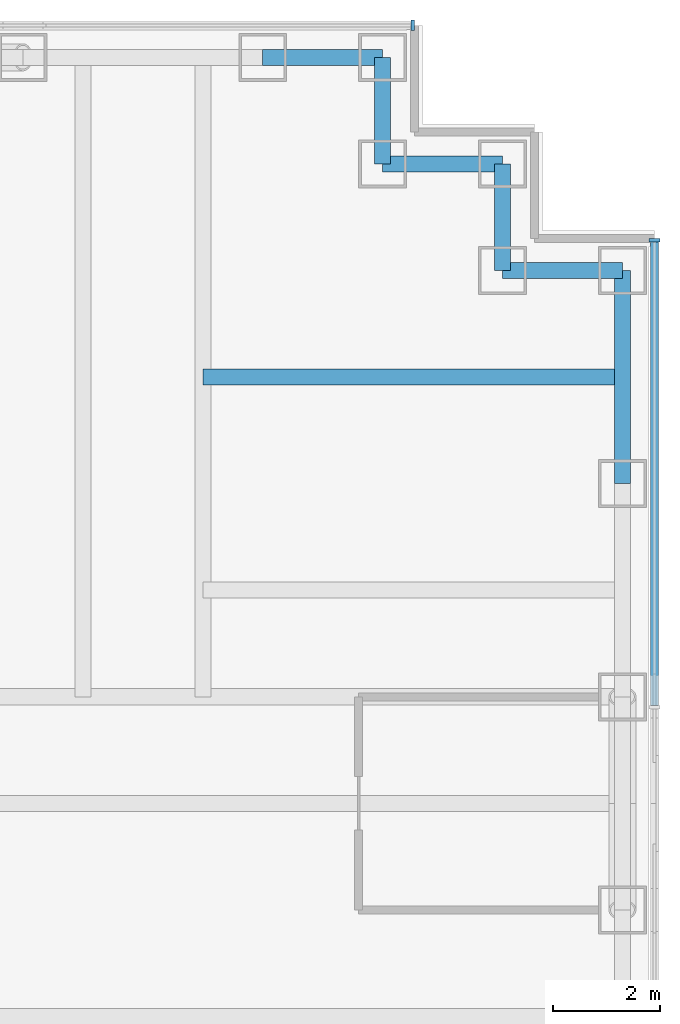
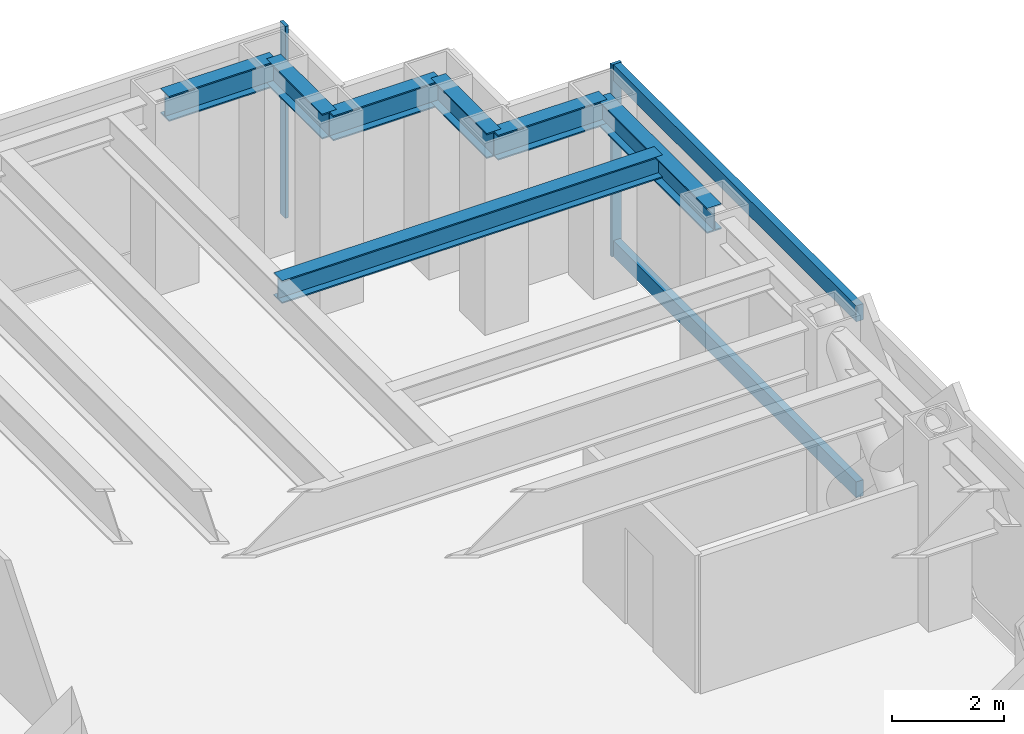
# One storey, part 9 of 17: 7 beams, 4 members, 2 elements without a shape of their own.
"""IFC4 building model written with IfcOpenShell, lengths in metres."""

from ifc_helpers import new_model, si_unit, direction, frame, origin, origin_2d, place, context, subcontext, project, spatial, rectangle, i_section, extrude, material, material_profile, profile_set, type_object, element, aggregate, save


model = new_model("IFC4")

# Units and contexts
model_context = context("Model", 3, precision=1e-05, world=origin(), true_north=direction((0.0, 1.0)))
body_context = subcontext(model_context, "Body", "Model", "MODEL_VIEW")
ifc_project = project(units=[si_unit("LENGTHUNIT", "METRE"), si_unit("AREAUNIT", "SQUARE_METRE"), si_unit("VOLUMEUNIT", "CUBIC_METRE"), si_unit("PLANEANGLEUNIT", "RADIAN"), si_unit("MASSUNIT", "GRAM", prefix="KILO")], contexts=[model_context])

# Site, building, storey
site_placement = place(None, origin())
site = spatial("IfcSite", under=ifc_project, at=site_placement, CompositionType="ELEMENT")
building_placement = place(site_placement, origin())
building = spatial("IfcBuilding", under=site, at=building_placement, Name="Rheinbord Bourse Tower", CompositionType="ELEMENT")
storey_placement = place(building_placement, frame((0.0, 0.0, 321.5)))
storey = spatial("IfcBuildingStorey", under=building, at=storey_placement, Name="L73", CompositionType="ELEMENT", Elevation=321.5)

# Curtain wall, member
ifc_material_1 = material(Name="Dark glass and black aluminium", Category="aluminium")
curtain_wall_type = type_object("IfcCurtainWallType", Name="CW3 DARK GLASS CURTAIN WALL", PredefinedType="USERDEFINED", material=ifc_material_1)
curtain_wall_1_placement = place(storey_placement, origin())
curtain_wall_1 = element("IfcCurtainWall", 1, at=curtain_wall_1_placement, inside=storey, type_object=curtain_wall_type, Name="Curtain wall CW3 E L73", ObjectType="UNITISED CURTAIN WALL", PredefinedType="USERDEFINED")
ifc_material_2 = material(Name="Black anodised aluminium", Category="aluminium")
ifc_material_profile_1 = material_profile(ifc_material_2, rectangle(XDim=0.199951171875, YDim=0.06494140625, at=origin_2d()), Name="CW3 MULLION 65x200")
ifc_profile_set_1 = profile_set([ifc_material_profile_1], Name="Black anodised aluminium")
member_type_1 = type_object("IfcMemberType", Name="CW3 BLACK MULLION", PredefinedType="MULLION", material=ifc_profile_set_1)
member_1_placement = place(storey_placement, frame((70.35009765625, 40.5673828125, 0.0), z_axis=(0.0, 0.0, 1.0), x_axis=(-1.0, 0.0, 0.0)))
member_1 = element("IfcMember", 2, at=member_1_placement, type_object=member_type_1, Name="CW3 mullion 5", PredefinedType="MULLION", context=body_context, shape_type="SweptSolid", body=[
    extrude(rectangle(XDim=0.199951171875, YDim=0.06494140625, at=origin_2d()), origin(), (0.0, 0.0, 1.0), 4.199951171875),
])

curtain_wall_2_placement = place(storey_placement, origin())
curtain_wall_2 = element("IfcCurtainWall", 3, at=curtain_wall_2_placement, inside=storey, type_object=curtain_wall_type, Name="Curtain wall CW3 N L73", ObjectType="UNITISED CURTAIN WALL", PredefinedType="USERDEFINED")
member_2_placement = place(storey_placement, frame((65.8173828125, 44.60009765625, 0.0), z_axis=(0.0, 0.0, 1.0), x_axis=(0.0, -1.0, 0.0)))
member_2 = element("IfcMember", 4, at=member_2_placement, type_object=member_type_1, Name="CW3 mullion 1", PredefinedType="MULLION", context=body_context, shape_type="SweptSolid", body=[
    extrude(rectangle(XDim=0.199951171875, YDim=0.06494140625, at=origin_2d()), origin(), (0.0, 0.0, 1.0), 4.199951171875),
])
aggregate(curtain_wall_2, [member_2])

# Member
ifc_material_3 = material(Name="Black anodised aluminium", Category="aluminium")
ifc_material_profile_2 = material_profile(ifc_material_3, rectangle(XDim=0.14990234375, YDim=0.35009765625, at=origin_2d()), Name="CW3 TRANSOM 350x150")
ifc_profile_set_2 = profile_set([ifc_material_profile_2], Name="Black anodised aluminium")
member_type_2 = type_object("IfcMemberType", Name="CW3 BLACK TRANSOM", PredefinedType="USERDEFINED", material=ifc_profile_set_2)
member_3_placement = place(storey_placement, frame((70.35009765625, 31.83251953125, 0.175048828125), z_axis=(0.0, 1.0, 0.0), x_axis=(-1.0, 0.0, 0.0)))
member_3 = element("IfcMember", 5, at=member_3_placement, type_object=member_type_2, Name="CW3 transom 4.1", ObjectType="TRANSOM", PredefinedType="USERDEFINED", context=body_context, shape_type="SweptSolid", body=[
    extrude(rectangle(XDim=0.14990234375, YDim=0.35009765625, at=origin_2d()), origin(), (0.0, 0.0, 1.0), 8.702392578125),
])

member_4_placement = place(storey_placement, frame((70.35009765625, 31.83251953125, 4.02490234375), z_axis=(0.0, 1.0, 0.0), x_axis=(-1.0, 0.0, 0.0)))
member_4 = element("IfcMember", 6, at=member_4_placement, type_object=member_type_2, Name="CW3 transom 4.2", ObjectType="TRANSOM", PredefinedType="USERDEFINED", context=body_context, shape_type="SweptSolid", body=[
    extrude(rectangle(XDim=0.14990234375, YDim=0.35009765625, at=origin_2d()), origin(), (0.0, 0.0, 1.0), 8.702392578125),
])

aggregate(curtain_wall_1, [member_1, member_3, member_4])

# Beams
ifc_material_4 = material(Name="Steel S460", Category="steel")
ifc_material_profile_3 = material_profile(ifc_material_4, i_section(OverallWidth=0.300048828125, OverallDepth=0.550048828125, WebThickness=0.014892578125, FlangeThickness=0.029052734375, at=origin_2d()), Name="HEB 550")
ifc_profile_set_3 = profile_set([ifc_material_profile_3], Name="Steel S460")
beam_type_1 = type_object("IfcBeamType", Name="SPANDREL HEB 550", PredefinedType="SPANDREL", material=ifc_profile_set_3)
beam_1_placement = place(storey_placement, frame((69.75, 36.0, 3.764892578125), z_axis=(0.0, 1.0, 0.0), x_axis=(-1.0, 0.0, 0.0)))
element("IfcBeam", 7, at=beam_1_placement, inside=storey, type_object=beam_type_1, Name="Spandrel E-36-NE-A under L74", PredefinedType="SPANDREL", context=body_context, shape_type="SweptSolid", body=[
    extrude(i_section(OverallWidth=0.300048828125, OverallDepth=0.550048828125, WebThickness=0.014892578125, FlangeThickness=0.029052734375, at=origin_2d()), origin(), (0.0, 0.0, 1.0), 4.0),
])
beam_2_placement = place(storey_placement, frame((69.75, 40.0, 3.764892578125), z_axis=(-1.0, 0.0, 0.0), x_axis=(0.0, -1.0, 0.0)))
element("IfcBeam", 8, at=beam_2_placement, inside=storey, type_object=beam_type_1, Name="Spandrel NE-A-NE-B under L74", PredefinedType="SPANDREL", context=body_context, shape_type="SweptSolid", body=[
    extrude(i_section(OverallWidth=0.300048828125, OverallDepth=0.550048828125, WebThickness=0.014892578125, FlangeThickness=0.029052734375, at=origin_2d()), origin(), (0.0, 0.0, 1.0), 2.25),
])
beam_3_placement = place(storey_placement, frame((67.5, 40.0, 3.764892578125), z_axis=(0.0, 1.0, 0.0), x_axis=(-1.0, 0.0, 0.0)))
element("IfcBeam", 9, at=beam_3_placement, inside=storey, type_object=beam_type_1, Name="Spandrel NE-B-NE-C under L74", PredefinedType="SPANDREL", context=body_context, shape_type="SweptSolid", body=[
    extrude(i_section(OverallWidth=0.300048828125, OverallDepth=0.550048828125, WebThickness=0.014892578125, FlangeThickness=0.029052734375, at=origin_2d()), origin(), (0.0, 0.0, 1.0), 2.0),
])
beam_4_placement = place(storey_placement, frame((67.5, 42.0, 3.764892578125), z_axis=(-1.0, 0.0, 0.0), x_axis=(0.0, -1.0, 0.0)))
element("IfcBeam", 10, at=beam_4_placement, inside=storey, type_object=beam_type_1, Name="Spandrel NE-C-NE-D under L74", PredefinedType="SPANDREL", context=body_context, shape_type="SweptSolid", body=[
    extrude(i_section(OverallWidth=0.300048828125, OverallDepth=0.550048828125, WebThickness=0.014892578125, FlangeThickness=0.029052734375, at=origin_2d()), origin(), (0.0, 0.0, 1.0), 2.25),
])
beam_5_placement = place(storey_placement, frame((65.25, 42.0, 3.764892578125), z_axis=(0.0, 1.0, 0.0), x_axis=(-1.0, 0.0, 0.0)))
element("IfcBeam", 11, at=beam_5_placement, inside=storey, type_object=beam_type_1, Name="Spandrel NE-D-NE-E under L74", PredefinedType="SPANDREL", context=body_context, shape_type="SweptSolid", body=[
    extrude(i_section(OverallWidth=0.300048828125, OverallDepth=0.550048828125, WebThickness=0.014892578125, FlangeThickness=0.029052734375, at=origin_2d()), origin(), (0.0, 0.0, 1.0), 2.0),
])
beam_6_placement = place(storey_placement, frame((65.25, 44.0, 3.764892578125), z_axis=(-1.0, 0.0, 0.0), x_axis=(0.0, -1.0, 0.0)))
element("IfcBeam", 12, at=beam_6_placement, inside=storey, type_object=beam_type_1, Name="Spandrel NE-E-N-63 under L74", PredefinedType="SPANDREL", context=body_context, shape_type="SweptSolid", body=[
    extrude(i_section(OverallWidth=0.300048828125, OverallDepth=0.550048828125, WebThickness=0.014892578125, FlangeThickness=0.029052734375, at=origin_2d()), origin(), (0.0, 0.0, 1.0), 2.25),
])
ifc_material_5 = material(Name="Steel S460", Category="steel")
ifc_material_profile_4 = material_profile(ifc_material_5, i_section(OverallWidth=0.300048828125, OverallDepth=0.5, WebThickness=0.014404296875, FlangeThickness=0.028076171875, at=origin_2d()), Name="HEB 500")
ifc_profile_set_4 = profile_set([ifc_material_profile_4], Name="Steel S460")
beam_type_2 = type_object("IfcBeamType", Name="TIE BEAM HEB 500", PredefinedType="JOIST", material=ifc_profile_set_4)
beam_7_placement = place(storey_placement, frame((61.875, 38.0, 3.7900390625), z_axis=(1.0, 0.0, 0.0), x_axis=(0.0, 1.0, 0.0)))
element("IfcBeam", 13, at=beam_7_placement, inside=storey, type_object=beam_type_2, Name="Tie east 38 L74", PredefinedType="JOIST", context=body_context, shape_type="SweptSolid", body=[
    extrude(i_section(OverallWidth=0.300048828125, OverallDepth=0.5, WebThickness=0.014404296875, FlangeThickness=0.028076171875, at=origin_2d()), origin(), (0.0, 0.0, 1.0), 7.875),
])

save(model, "model.ifc")
